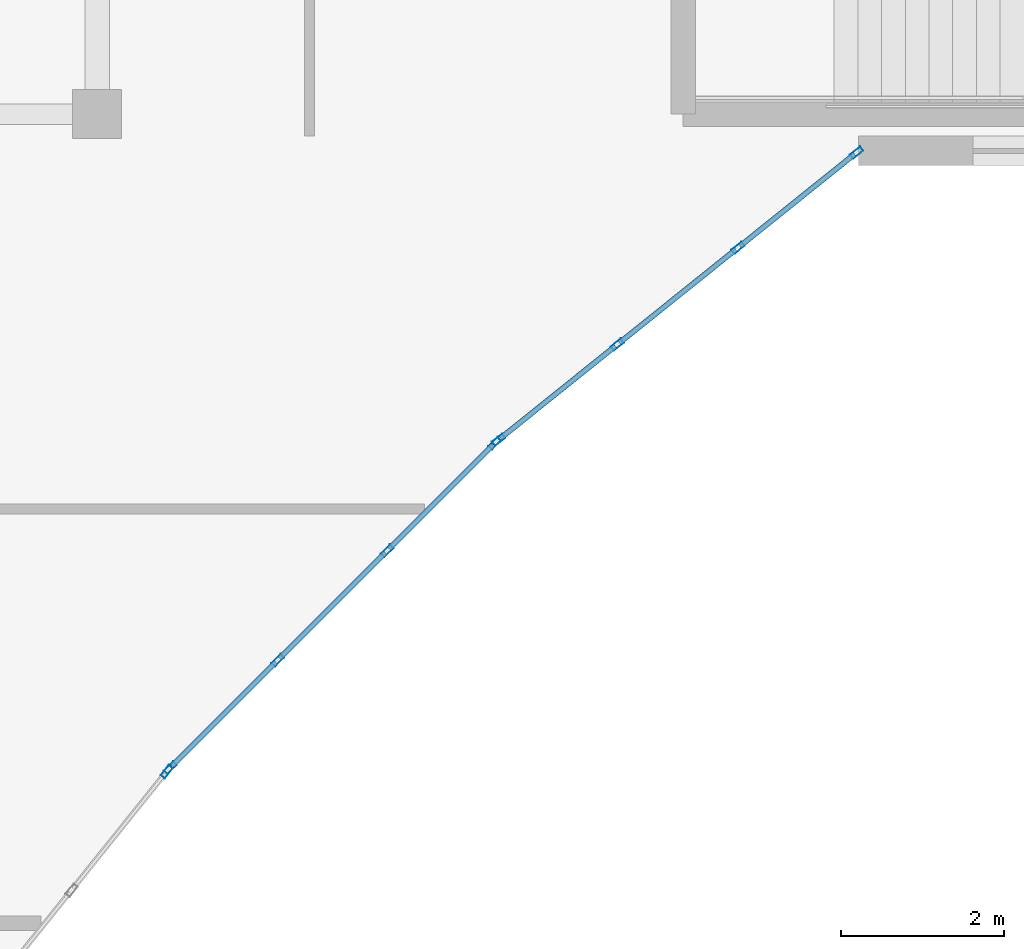
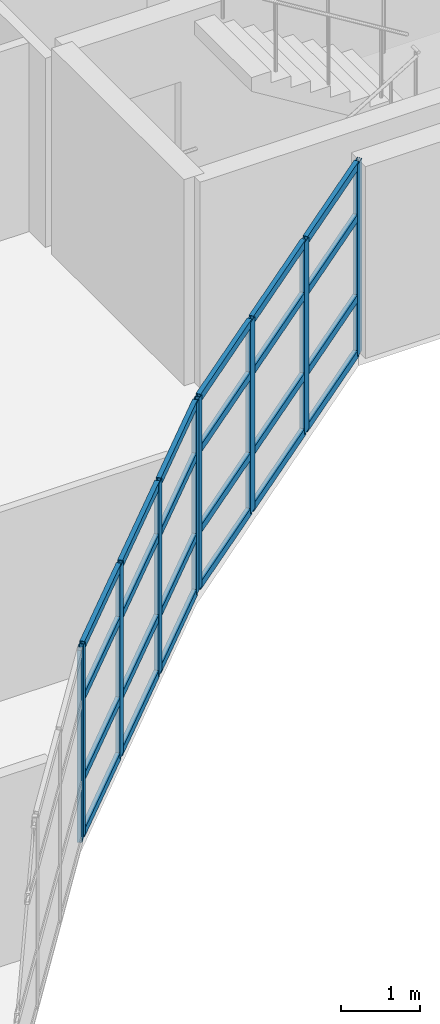
# One storey, part 22 of 79: 33 members, 3 elements without a shape of their own.
"""IFC4 building model written with IfcOpenShell, lengths in metres."""

from ifc_helpers import new_model, si_unit, direction, frame, origin, origin_2d, place, context, subcontext, project, spatial, hollow_rectangle, extrude, material, layer, layer_set, material_profile, profile_set, type_object, element, aggregate, save


model = new_model("IFC4")

# Units and contexts
model_context = context("Model", 3, precision=1e-05, world=origin(), true_north=direction((0.0, 1.0)))
body_context = subcontext(model_context, "Body", "Model", "MODEL_VIEW")
ifc_project = project(units=[si_unit("LENGTHUNIT", "METRE"), si_unit("AREAUNIT", "SQUARE_METRE"), si_unit("VOLUMEUNIT", "CUBIC_METRE"), si_unit("PLANEANGLEUNIT", "RADIAN"), si_unit("MASSUNIT", "GRAM", prefix="KILO")], contexts=[model_context])

# Site, building, storey
site_placement = place(None, origin())
site = spatial("IfcSite", under=ifc_project, at=site_placement, CompositionType="ELEMENT")
building_placement = place(site_placement, origin())
building = spatial("IfcBuilding", under=site, at=building_placement, Name="Keldmere Railside Commons", CompositionType="ELEMENT")
storey_placement = place(building_placement, frame((0.0, 0.0, 10.56005859375)))
storey = spatial("IfcBuildingStorey", under=building, at=storey_placement, Name="L03", CompositionType="ELEMENT", Elevation=10.56005859375)

# Curtain wall, member
ifc_material = material(Name="Thermally Broken Aluminium", Category="aluminium")
ifc_layer_1 = layer(ifc_material, 0.159912109375, Name="Court Chord Wintergarden CW 4800x2850")
ifc_layer_set_1 = layer_set([ifc_layer_1], Name="Thermally Broken Aluminium")
curtain_wall_type_1 = type_object("IfcCurtainWallType", Name="Court Chord Wintergarden CW 4800x2850", PredefinedType="NOTDEFINED", material=ifc_layer_set_1)
curtain_wall_1_placement = place(storey_placement, origin())
curtain_wall_1 = element("IfcCurtainWall", 1, at=curtain_wall_1_placement, inside=storey, type_object=curtain_wall_type_1, Name="CW-12 CW-L03-103", PredefinedType="NOTDEFINED")
ifc_material_profile_1 = material_profile(ifc_material, hollow_rectangle(XDim=0.06494140625, YDim=0.159912109375, WallThickness=0.00390625, at=origin_2d()), Name="ALU-MULL-65x160")
ifc_profile_set_1 = profile_set([ifc_material_profile_1], Name="Thermally Broken Aluminium")
member_type_1 = type_object("IfcMemberType", Name="Unitised Curtain Wall Mullion 65x160", PredefinedType="MULLION", material=ifc_profile_set_1)
member_1_placement = place(storey_placement, frame((123.53369140625, 92.404541015625, 0.0), z_axis=(0.0, 0.0, 1.0), x_axis=(0.780009172323, -0.625768080915, 0.0)))
member_1 = element("IfcMember", 2, at=member_1_placement, type_object=member_type_1, Name="CW-12 mullion 1", PredefinedType="MULLION", context=body_context, shape_type="SweptSolid", body=[
    extrude(hollow_rectangle(XDim=0.06494140625, YDim=0.159912109375, WallThickness=0.00390625, at=origin_2d()), origin(), (0.0, 0.0, 1.0), 2.97998046875),
])
aggregate(curtain_wall_1, [member_1])

# Curtain wall, members
ifc_layer_2 = layer(ifc_material, 0.159912109375, Name="Court Chord Wintergarden CW 5400x2850")
ifc_layer_set_2 = layer_set([ifc_layer_2], Name="Thermally Broken Aluminium")
curtain_wall_type_2 = type_object("IfcCurtainWallType", Name="Court Chord Wintergarden CW 5400x2850", PredefinedType="NOTDEFINED", material=ifc_layer_set_2)
curtain_wall_2_placement = place(storey_placement, origin())
curtain_wall_2 = element("IfcCurtainWall", 3, at=curtain_wall_2_placement, inside=storey, type_object=curtain_wall_type_2, Name="CW-13 CW-L03-104", PredefinedType="NOTDEFINED")
member_2_placement = place(storey_placement, frame((127.547119140625, 96.423095703125, 0.0), z_axis=(0.0, 0.0, 1.0), x_axis=(0.707106781187, -0.707106781187, 0.0)))
member_2 = element("IfcMember", 4, at=member_2_placement, type_object=member_type_1, Name="CW-13 mullion 1", PredefinedType="MULLION", context=body_context, shape_type="SweptSolid", body=[
    extrude(hollow_rectangle(XDim=0.06494140625, YDim=0.159912109375, WallThickness=0.00390625, at=origin_2d()), origin(), (0.0, 0.0, 1.0), 2.97998046875),
])
member_3_placement = place(storey_placement, frame((126.2314453125, 95.107421875, 0.0), z_axis=(0.0, 0.0, 1.0), x_axis=(0.707106781187, -0.707106781187, 0.0)))
member_3 = element("IfcMember", 5, at=member_3_placement, type_object=member_type_1, Name="CW-13 mullion 2", PredefinedType="MULLION", context=body_context, shape_type="SweptSolid", body=[
    extrude(hollow_rectangle(XDim=0.06494140625, YDim=0.159912109375, WallThickness=0.00390625, at=origin_2d()), origin(), (0.0, 0.0, 1.0), 2.97998046875),
])
member_4_placement = place(storey_placement, frame((124.892578125, 93.7685546875, 0.0), z_axis=(0.0, 0.0, 1.0), x_axis=(0.707106781187, -0.707106781187, 0.0)))
member_4 = element("IfcMember", 6, at=member_4_placement, type_object=member_type_1, Name="CW-13 mullion 3", PredefinedType="MULLION", context=body_context, shape_type="SweptSolid", body=[
    extrude(hollow_rectangle(XDim=0.06494140625, YDim=0.159912109375, WallThickness=0.00390625, at=origin_2d()), origin(), (0.0, 0.0, 1.0), 2.97998046875),
])
member_5_placement = place(storey_placement, frame((123.576904296875, 92.452880859375, 0.0), z_axis=(0.0, 0.0, 1.0), x_axis=(0.707106781187, -0.707106781187, 0.0)))
member_5 = element("IfcMember", 7, at=member_5_placement, type_object=member_type_1, Name="CW-13 mullion 4", PredefinedType="MULLION", context=body_context, shape_type="SweptSolid", body=[
    extrude(hollow_rectangle(XDim=0.06494140625, YDim=0.159912109375, WallThickness=0.00390625, at=origin_2d()), origin(), (0.0, 0.0, 1.0), 2.97998046875),
])

curtain_wall_3_placement = place(storey_placement, origin())
curtain_wall_3 = element("IfcCurtainWall", 8, at=curtain_wall_3_placement, inside=storey, type_object=curtain_wall_type_1, Name="CW-12 CW-L03-105", PredefinedType="NOTDEFINED")
member_6_placement = place(storey_placement, frame((131.974609375, 99.979736328125, 0.0), z_axis=(0.0, 0.0, 1.0), x_axis=(0.625768080915, -0.780009172323, 0.0)))
member_6 = element("IfcMember", 9, at=member_6_placement, type_object=member_type_1, Name="CW-12 mullion 1", PredefinedType="MULLION", context=body_context, shape_type="SweptSolid", body=[
    extrude(hollow_rectangle(XDim=0.06494140625, YDim=0.159912109375, WallThickness=0.00390625, at=origin_2d()), origin(), (0.0, 0.0, 1.0), 2.97998046875),
])
member_7_placement = place(storey_placement, frame((130.5234375, 98.8154296875, 0.0), z_axis=(0.0, 0.0, 1.0), x_axis=(0.625768080915, -0.780009172323, 0.0)))
member_7 = element("IfcMember", 10, at=member_7_placement, type_object=member_type_1, Name="CW-12 mullion 2", PredefinedType="MULLION", context=body_context, shape_type="SweptSolid", body=[
    extrude(hollow_rectangle(XDim=0.06494140625, YDim=0.159912109375, WallThickness=0.00390625, at=origin_2d()), origin(), (0.0, 0.0, 1.0), 2.97998046875),
])
member_8_placement = place(storey_placement, frame((129.046630859375, 97.630615234375, 0.0), z_axis=(0.0, 0.0, 1.0), x_axis=(0.625768080915, -0.780009172323, 0.0)))
member_8 = element("IfcMember", 11, at=member_8_placement, type_object=member_type_1, Name="CW-12 mullion 3", PredefinedType="MULLION", context=body_context, shape_type="SweptSolid", body=[
    extrude(hollow_rectangle(XDim=0.06494140625, YDim=0.159912109375, WallThickness=0.00390625, at=origin_2d()), origin(), (0.0, 0.0, 1.0), 2.97998046875),
])
member_9_placement = place(storey_placement, frame((127.595458984375, 96.46630859375, 0.0), z_axis=(0.0, 0.0, 1.0), x_axis=(0.625768080915, -0.780009172323, 0.0)))
member_9 = element("IfcMember", 12, at=member_9_placement, type_object=member_type_1, Name="CW-12 mullion 4", PredefinedType="MULLION", context=body_context, shape_type="SweptSolid", body=[
    extrude(hollow_rectangle(XDim=0.06494140625, YDim=0.159912109375, WallThickness=0.00390625, at=origin_2d()), origin(), (0.0, 0.0, 1.0), 2.97998046875),
])

# Member
ifc_material_profile_2 = material_profile(ifc_material, hollow_rectangle(XDim=0.06494140625, YDim=0.1201171875, WallThickness=0.00390625, at=origin_2d()), Name="ALU-TRAN-65x120")
ifc_profile_set_2 = profile_set([ifc_material_profile_2], Name="Thermally Broken Aluminium")
member_type_2 = type_object("IfcMemberType", Name="Unitised Curtain Wall Transom 65x120", PredefinedType="USERDEFINED", material=ifc_profile_set_2)
member_10_placement = place(storey_placement, frame((127.52392578125, 96.400146484375, 0.032470703125), z_axis=(-0.707038793419, -0.707174762418, 0.0), x_axis=(0.707174762418, -0.707038793419, 0.0)))
member_10 = element("IfcMember", 13, at=member_10_placement, type_object=member_type_2, Name="CW-13 transom 1.1", ObjectType="TRANSOM", PredefinedType="USERDEFINED", context=body_context, shape_type="SweptSolid", body=[
    extrude(hollow_rectangle(XDim=0.06494140625, YDim=0.1201171875, WallThickness=0.00390625, at=origin_2d()), origin(), (0.0, 0.0, 1.0), 1.795654296875),
])

member_11_placement = place(storey_placement, frame((127.52392578125, 96.400146484375, 0.89990234375), z_axis=(-0.707038793419, -0.707174762418, 0.0), x_axis=(0.707174762418, -0.707038793419, 0.0)))
member_11 = element("IfcMember", 14, at=member_11_placement, type_object=member_type_2, Name="CW-13 transom 1.2", ObjectType="TRANSOM", PredefinedType="USERDEFINED", context=body_context, shape_type="SweptSolid", body=[
    extrude(hollow_rectangle(XDim=0.06494140625, YDim=0.1201171875, WallThickness=0.00390625, at=origin_2d()), origin(), (0.0, 0.0, 1.0), 1.795654296875),
])

member_12_placement = place(storey_placement, frame((127.52392578125, 96.400146484375, 2.14990234375), z_axis=(-0.707038793419, -0.707174762418, 0.0), x_axis=(0.707174762418, -0.707038793419, 0.0)))
member_12 = element("IfcMember", 15, at=member_12_placement, type_object=member_type_2, Name="CW-13 transom 1.3", ObjectType="TRANSOM", PredefinedType="USERDEFINED", context=body_context, shape_type="SweptSolid", body=[
    extrude(hollow_rectangle(XDim=0.06494140625, YDim=0.1201171875, WallThickness=0.00390625, at=origin_2d()), origin(), (0.0, 0.0, 1.0), 1.795654296875),
])

member_13_placement = place(storey_placement, frame((127.52392578125, 96.400146484375, 2.947509765625), z_axis=(-0.707038793419, -0.707174762418, 0.0), x_axis=(0.707174762418, -0.707038793419, 0.0)))
member_13 = element("IfcMember", 16, at=member_13_placement, type_object=member_type_2, Name="CW-13 transom 1.4", ObjectType="TRANSOM", PredefinedType="USERDEFINED", context=body_context, shape_type="SweptSolid", body=[
    extrude(hollow_rectangle(XDim=0.06494140625, YDim=0.1201171875, WallThickness=0.00390625, at=origin_2d()), origin(), (0.0, 0.0, 1.0), 1.795654296875),
])

member_14_placement = place(storey_placement, frame((126.208251953125, 95.08447265625, 0.032470703125), z_axis=(-0.707106781187, -0.707106781187, 0.0), x_axis=(0.707106781187, -0.707106781187, 0.0)))
member_14 = element("IfcMember", 17, at=member_14_placement, type_object=member_type_2, Name="CW-13 transom 2.1", ObjectType="TRANSOM", PredefinedType="USERDEFINED", context=body_context, shape_type="SweptSolid", body=[
    extrude(hollow_rectangle(XDim=0.06494140625, YDim=0.1201171875, WallThickness=0.00390625, at=origin_2d()), origin(), (0.0, 0.0, 1.0), 1.828125),
])

member_15_placement = place(storey_placement, frame((126.208251953125, 95.08447265625, 0.89990234375), z_axis=(-0.707106781187, -0.707106781187, 0.0), x_axis=(0.707106781187, -0.707106781187, 0.0)))
member_15 = element("IfcMember", 18, at=member_15_placement, type_object=member_type_2, Name="CW-13 transom 2.2", ObjectType="TRANSOM", PredefinedType="USERDEFINED", context=body_context, shape_type="SweptSolid", body=[
    extrude(hollow_rectangle(XDim=0.06494140625, YDim=0.1201171875, WallThickness=0.00390625, at=origin_2d()), origin(), (0.0, 0.0, 1.0), 1.828125),
])

member_16_placement = place(storey_placement, frame((126.208251953125, 95.08447265625, 2.14990234375), z_axis=(-0.707106781187, -0.707106781187, 0.0), x_axis=(0.707106781187, -0.707106781187, 0.0)))
member_16 = element("IfcMember", 19, at=member_16_placement, type_object=member_type_2, Name="CW-13 transom 2.3", ObjectType="TRANSOM", PredefinedType="USERDEFINED", context=body_context, shape_type="SweptSolid", body=[
    extrude(hollow_rectangle(XDim=0.06494140625, YDim=0.1201171875, WallThickness=0.00390625, at=origin_2d()), origin(), (0.0, 0.0, 1.0), 1.828125),
])

member_17_placement = place(storey_placement, frame((126.208251953125, 95.08447265625, 2.947509765625), z_axis=(-0.707106781187, -0.707106781187, 0.0), x_axis=(0.707106781187, -0.707106781187, 0.0)))
member_17 = element("IfcMember", 20, at=member_17_placement, type_object=member_type_2, Name="CW-13 transom 2.4", ObjectType="TRANSOM", PredefinedType="USERDEFINED", context=body_context, shape_type="SweptSolid", body=[
    extrude(hollow_rectangle(XDim=0.06494140625, YDim=0.1201171875, WallThickness=0.00390625, at=origin_2d()), origin(), (0.0, 0.0, 1.0), 1.828125),
])

member_18_placement = place(storey_placement, frame((124.86962890625, 93.74560546875, 0.032470703125), z_axis=(-0.707174762418, -0.707038793419, 0.0), x_axis=(0.707038793419, -0.707174762418, 0.0)))
member_18 = element("IfcMember", 21, at=member_18_placement, type_object=member_type_2, Name="CW-13 transom 3.1", ObjectType="TRANSOM", PredefinedType="USERDEFINED", context=body_context, shape_type="SweptSolid", body=[
    extrude(hollow_rectangle(XDim=0.06494140625, YDim=0.1201171875, WallThickness=0.00390625, at=origin_2d()), origin(), (0.0, 0.0, 1.0), 1.795654296875),
])

member_19_placement = place(storey_placement, frame((124.86962890625, 93.74560546875, 0.89990234375), z_axis=(-0.707174762418, -0.707038793419, 0.0), x_axis=(0.707038793419, -0.707174762418, 0.0)))
member_19 = element("IfcMember", 22, at=member_19_placement, type_object=member_type_2, Name="CW-13 transom 3.2", ObjectType="TRANSOM", PredefinedType="USERDEFINED", context=body_context, shape_type="SweptSolid", body=[
    extrude(hollow_rectangle(XDim=0.06494140625, YDim=0.1201171875, WallThickness=0.00390625, at=origin_2d()), origin(), (0.0, 0.0, 1.0), 1.795654296875),
])

member_20_placement = place(storey_placement, frame((124.86962890625, 93.74560546875, 2.14990234375), z_axis=(-0.707174762418, -0.707038793419, 0.0), x_axis=(0.707038793419, -0.707174762418, 0.0)))
member_20 = element("IfcMember", 23, at=member_20_placement, type_object=member_type_2, Name="CW-13 transom 3.3", ObjectType="TRANSOM", PredefinedType="USERDEFINED", context=body_context, shape_type="SweptSolid", body=[
    extrude(hollow_rectangle(XDim=0.06494140625, YDim=0.1201171875, WallThickness=0.00390625, at=origin_2d()), origin(), (0.0, 0.0, 1.0), 1.795654296875),
])

member_21_placement = place(storey_placement, frame((124.86962890625, 93.74560546875, 2.947509765625), z_axis=(-0.707174762418, -0.707038793419, 0.0), x_axis=(0.707038793419, -0.707174762418, 0.0)))
member_21 = element("IfcMember", 24, at=member_21_placement, type_object=member_type_2, Name="CW-13 transom 3.4", ObjectType="TRANSOM", PredefinedType="USERDEFINED", context=body_context, shape_type="SweptSolid", body=[
    extrude(hollow_rectangle(XDim=0.06494140625, YDim=0.1201171875, WallThickness=0.00390625, at=origin_2d()), origin(), (0.0, 0.0, 1.0), 1.795654296875),
])

aggregate(curtain_wall_2, [member_2, member_3, member_4, member_5, member_10, member_11, member_12, member_13, member_14, member_15, member_16, member_17, member_18, member_19, member_20, member_21])

member_22_placement = place(storey_placement, frame((131.94921875, 99.959228515625, 0.032470703125), z_axis=(-0.780045694992, -0.625722553313, 0.0), x_axis=(0.625722553313, -0.780045694992, 0.0)))
member_22 = element("IfcMember", 25, at=member_22_placement, type_object=member_type_2, Name="CW-12 transom 1.1", ObjectType="TRANSOM", PredefinedType="USERDEFINED", context=body_context, shape_type="SweptSolid", body=[
    extrude(hollow_rectangle(XDim=0.06494140625, YDim=0.1201171875, WallThickness=0.00390625, at=origin_2d()), origin(), (0.0, 0.0, 1.0), 1.795654296875),
])

member_23_placement = place(storey_placement, frame((131.94921875, 99.959228515625, 0.89990234375), z_axis=(-0.780045694992, -0.625722553313, 0.0), x_axis=(0.625722553313, -0.780045694992, 0.0)))
member_23 = element("IfcMember", 26, at=member_23_placement, type_object=member_type_2, Name="CW-12 transom 1.2", ObjectType="TRANSOM", PredefinedType="USERDEFINED", context=body_context, shape_type="SweptSolid", body=[
    extrude(hollow_rectangle(XDim=0.06494140625, YDim=0.1201171875, WallThickness=0.00390625, at=origin_2d()), origin(), (0.0, 0.0, 1.0), 1.795654296875),
])

member_24_placement = place(storey_placement, frame((131.94921875, 99.959228515625, 2.14990234375), z_axis=(-0.780045694992, -0.625722553313, 0.0), x_axis=(0.625722553313, -0.780045694992, 0.0)))
member_24 = element("IfcMember", 27, at=member_24_placement, type_object=member_type_2, Name="CW-12 transom 1.3", ObjectType="TRANSOM", PredefinedType="USERDEFINED", context=body_context, shape_type="SweptSolid", body=[
    extrude(hollow_rectangle(XDim=0.06494140625, YDim=0.1201171875, WallThickness=0.00390625, at=origin_2d()), origin(), (0.0, 0.0, 1.0), 1.795654296875),
])

member_25_placement = place(storey_placement, frame((131.94921875, 99.959228515625, 2.947509765625), z_axis=(-0.780045694992, -0.625722553313, 0.0), x_axis=(0.625722553313, -0.780045694992, 0.0)))
member_25 = element("IfcMember", 28, at=member_25_placement, type_object=member_type_2, Name="CW-12 transom 1.4", ObjectType="TRANSOM", PredefinedType="USERDEFINED", context=body_context, shape_type="SweptSolid", body=[
    extrude(hollow_rectangle(XDim=0.06494140625, YDim=0.1201171875, WallThickness=0.00390625, at=origin_2d()), origin(), (0.0, 0.0, 1.0), 1.795654296875),
])

member_26_placement = place(storey_placement, frame((130.498046875, 98.794921875, 0.032470703125), z_axis=(-0.78007338409, -0.625688033635, 0.0), x_axis=(0.625688033635, -0.78007338409, 0.0)))
member_26 = element("IfcMember", 29, at=member_26_placement, type_object=member_type_2, Name="CW-12 transom 2.1", ObjectType="TRANSOM", PredefinedType="USERDEFINED", context=body_context, shape_type="SweptSolid", body=[
    extrude(hollow_rectangle(XDim=0.06494140625, YDim=0.1201171875, WallThickness=0.00390625, at=origin_2d()), origin(), (0.0, 0.0, 1.0), 1.828125),
])

member_27_placement = place(storey_placement, frame((130.498046875, 98.794921875, 0.89990234375), z_axis=(-0.78007338409, -0.625688033635, 0.0), x_axis=(0.625688033635, -0.78007338409, 0.0)))
member_27 = element("IfcMember", 30, at=member_27_placement, type_object=member_type_2, Name="CW-12 transom 2.2", ObjectType="TRANSOM", PredefinedType="USERDEFINED", context=body_context, shape_type="SweptSolid", body=[
    extrude(hollow_rectangle(XDim=0.06494140625, YDim=0.1201171875, WallThickness=0.00390625, at=origin_2d()), origin(), (0.0, 0.0, 1.0), 1.828125),
])

member_28_placement = place(storey_placement, frame((130.498046875, 98.794921875, 2.14990234375), z_axis=(-0.78007338409, -0.625688033635, 0.0), x_axis=(0.625688033635, -0.78007338409, 0.0)))
member_28 = element("IfcMember", 31, at=member_28_placement, type_object=member_type_2, Name="CW-12 transom 2.3", ObjectType="TRANSOM", PredefinedType="USERDEFINED", context=body_context, shape_type="SweptSolid", body=[
    extrude(hollow_rectangle(XDim=0.06494140625, YDim=0.1201171875, WallThickness=0.00390625, at=origin_2d()), origin(), (0.0, 0.0, 1.0), 1.828125),
])

member_29_placement = place(storey_placement, frame((130.498046875, 98.794921875, 2.947509765625), z_axis=(-0.78007338409, -0.625688033635, 0.0), x_axis=(0.625688033635, -0.78007338409, 0.0)))
member_29 = element("IfcMember", 32, at=member_29_placement, type_object=member_type_2, Name="CW-12 transom 2.4", ObjectType="TRANSOM", PredefinedType="USERDEFINED", context=body_context, shape_type="SweptSolid", body=[
    extrude(hollow_rectangle(XDim=0.06494140625, YDim=0.1201171875, WallThickness=0.00390625, at=origin_2d()), origin(), (0.0, 0.0, 1.0), 1.828125),
])

member_30_placement = place(storey_placement, frame((129.021240234375, 97.6103515625, 0.032470703125), z_axis=(-0.779979331565, -0.625805275091, 0.0), x_axis=(0.625805275091, -0.779979331565, 0.0)))
member_30 = element("IfcMember", 33, at=member_30_placement, type_object=member_type_2, Name="CW-12 transom 3.1", ObjectType="TRANSOM", PredefinedType="USERDEFINED", context=body_context, shape_type="SweptSolid", body=[
    extrude(hollow_rectangle(XDim=0.06494140625, YDim=0.1201171875, WallThickness=0.00390625, at=origin_2d()), origin(), (0.0, 0.0, 1.0), 1.795654296875),
])

member_31_placement = place(storey_placement, frame((129.021240234375, 97.6103515625, 0.89990234375), z_axis=(-0.779979331565, -0.625805275091, 0.0), x_axis=(0.625805275091, -0.779979331565, 0.0)))
member_31 = element("IfcMember", 34, at=member_31_placement, type_object=member_type_2, Name="CW-12 transom 3.2", ObjectType="TRANSOM", PredefinedType="USERDEFINED", context=body_context, shape_type="SweptSolid", body=[
    extrude(hollow_rectangle(XDim=0.06494140625, YDim=0.1201171875, WallThickness=0.00390625, at=origin_2d()), origin(), (0.0, 0.0, 1.0), 1.795654296875),
])

member_32_placement = place(storey_placement, frame((129.021240234375, 97.6103515625, 2.14990234375), z_axis=(-0.779979331565, -0.625805275091, 0.0), x_axis=(0.625805275091, -0.779979331565, 0.0)))
member_32 = element("IfcMember", 35, at=member_32_placement, type_object=member_type_2, Name="CW-12 transom 3.3", ObjectType="TRANSOM", PredefinedType="USERDEFINED", context=body_context, shape_type="SweptSolid", body=[
    extrude(hollow_rectangle(XDim=0.06494140625, YDim=0.1201171875, WallThickness=0.00390625, at=origin_2d()), origin(), (0.0, 0.0, 1.0), 1.795654296875),
])

member_33_placement = place(storey_placement, frame((129.021240234375, 97.6103515625, 2.947509765625), z_axis=(-0.779979331565, -0.625805275091, 0.0), x_axis=(0.625805275091, -0.779979331565, 0.0)))
member_33 = element("IfcMember", 36, at=member_33_placement, type_object=member_type_2, Name="CW-12 transom 3.4", ObjectType="TRANSOM", PredefinedType="USERDEFINED", context=body_context, shape_type="SweptSolid", body=[
    extrude(hollow_rectangle(XDim=0.06494140625, YDim=0.1201171875, WallThickness=0.00390625, at=origin_2d()), origin(), (0.0, 0.0, 1.0), 1.795654296875),
])

aggregate(curtain_wall_3, [member_6, member_7, member_8, member_9, member_22, member_23, member_24, member_25, member_26, member_27, member_28, member_29, member_30, member_31, member_32, member_33])

save(model, "model.ifc")
